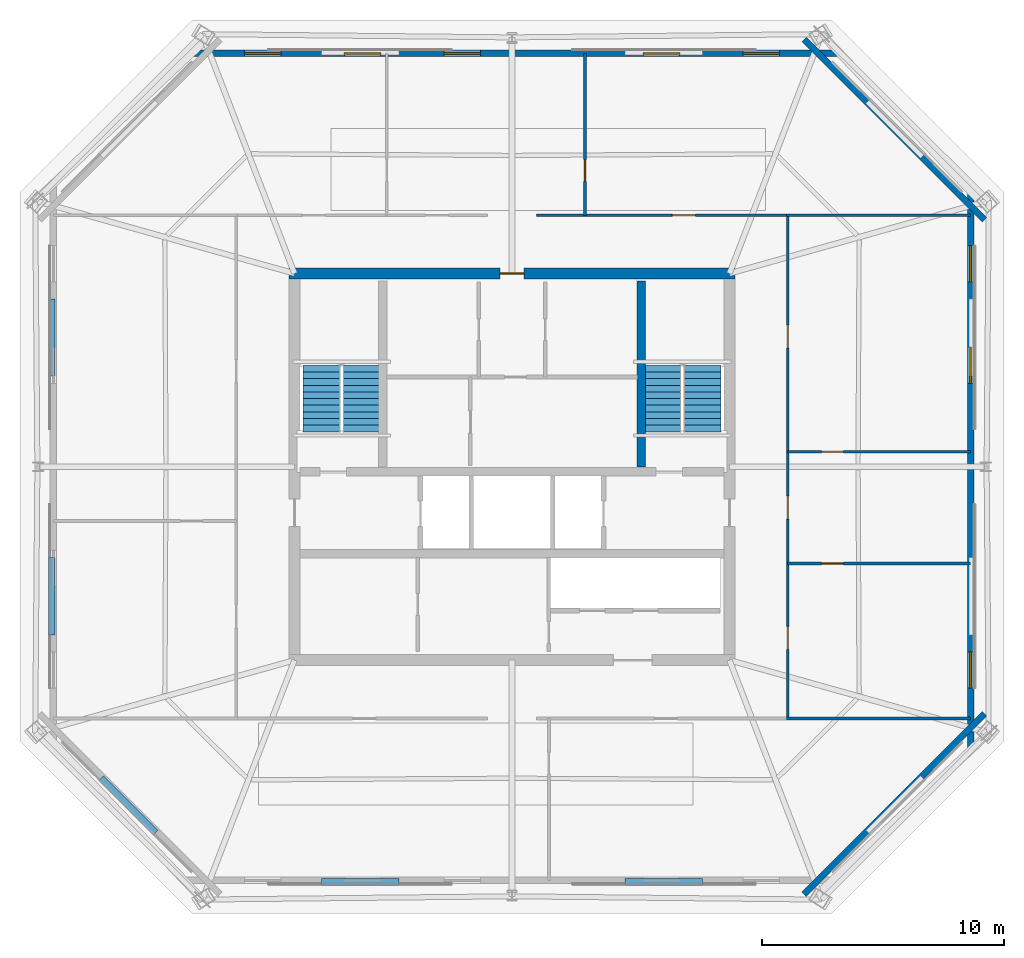
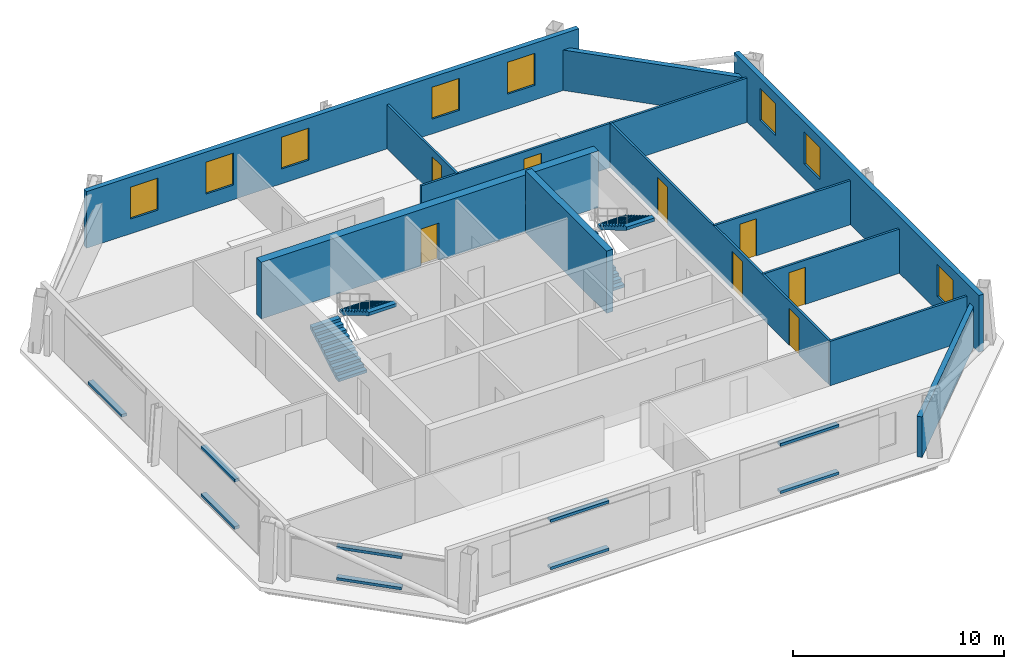
# One storey, part 4 of 7: 13 walls, 9 discrete accessories, 8 doors, 8 windows, 4 stair flights, 16 openings, 2 elements without a shape of their own.
"""IFC4 building model written with IfcOpenShell, lengths in metres."""

from ifc_helpers import new_model, si_unit, direction, frame, frame_2d, origin, origin_2d, place, context, subcontext, project, spatial, polyline, rectangle, outline, extrude, material, layer, layer_set, type_object, element, fill, aggregate, save


model = new_model("IFC4")

# Units and contexts
model_context = context("Model", 3, precision=1e-05, world=origin(), true_north=direction((0.0, 1.0)))
body_context = subcontext(model_context, "Body", "Model", "MODEL_VIEW")
ifc_project = project(units=[si_unit("LENGTHUNIT", "METRE"), si_unit("AREAUNIT", "SQUARE_METRE"), si_unit("VOLUMEUNIT", "CUBIC_METRE"), si_unit("PLANEANGLEUNIT", "RADIAN"), si_unit("MASSUNIT", "GRAM", prefix="KILO")], contexts=[model_context])

# Site, building, storey
site_placement = place(None, origin())
site = spatial("IfcSite", under=ifc_project, at=site_placement, CompositionType="ELEMENT")
building_placement = place(site_placement, origin())
building = spatial("IfcBuilding", under=site, at=building_placement, Name="Caelvoria Tower", CompositionType="ELEMENT")
storey_placement = place(building_placement, frame((0.0, 0.0, 231.0)))
storey = spatial("IfcBuildingStorey", under=building, at=storey_placement, Name="L61", CompositionType="ELEMENT", Elevation=231.0)

# Wall
ifc_material_1 = material(Name="Concrete C50/60", Category="concrete")
ifc_layer_1 = layer(ifc_material_1, 0.35009765625, Name="Concrete C50/60")
ifc_layer_set_1 = layer_set([ifc_layer_1], Name="Core Internal Shear Wall 350 - Concrete C50/60")
wall_type_1 = type_object("IfcWallType", Name="Core Internal Shear Wall 350", PredefinedType="SHEAR", material=ifc_layer_set_1)
wall_1_placement = place(storey_placement, frame((51.35009765625, 32.0, 0.0), z_axis=(0.0, 0.0, 1.0), x_axis=(0.0, 1.0, 0.0)))
element("IfcWall", 1, at=wall_1_placement, inside=storey, type_object=wall_type_1, Name="Interior Partition IW-L61-ST2W", PredefinedType="SHEAR", context=body_context, shape_type="SweptSolid", body=[
    extrude(rectangle(XDim=7.699951171875, YDim=0.35009765625, at=frame_2d((3.85009765625, 0.0))), origin(), (0.0, 0.0, 1.0), 3.60009765625),
])

# Wall, opening, door
ifc_material_2 = material(Name="Acoustic Gypsum Board on Light-Gauge Stud", Category="gypsum")
ifc_layer_2 = layer(ifc_material_2, 0.1201171875, Name="Acoustic Gypsum Board on Light-Gauge Stud")
ifc_layer_set_2 = layer_set([ifc_layer_2], Name="Tenant Suite Acoustic Partition Wall 120 - Acoustic Gypsum Board on Light-Gauge Stud")
wall_type_2 = type_object("IfcWallType", Name="Tenant Suite Acoustic Partition Wall 120", PredefinedType="PARTITIONING", material=ifc_layer_set_2)
wall_2_placement = place(storey_placement, frame((49.019775390625, 42.409912109375, 0.0), z_axis=(0.0, 0.0, 1.0), x_axis=(0.0, 1.0, 0.0)))
wall_2 = element("IfcWall", 2, at=wall_2_placement, inside=storey, type_object=wall_type_2, Name="Interior Partition IW-L61-ND-01-0", PredefinedType="PARTITIONING", context=body_context, shape_type="SweptSolid", body=[
    extrude(rectangle(XDim=6.700927734375, YDim=0.1201171875, at=frame_2d((3.3505859375, 0.0))), origin(), (0.0, 0.0, 1.0), 2.56005859375),
])
opening_1_placement = place(wall_2_placement, frame((1.39990234375, 0.0, 0.0)))
opening_1 = element("IfcOpeningElement", 3, at=opening_1_placement, cuts=wall_2, Name="Opening ID-06", PredefinedType="OPENING", context=body_context, shape_type="SweptSolid", body=[
    extrude(rectangle(XDim=0.89990234375, YDim=2.14990234375, at=frame_2d((0.449951171875, 1.074951171875))), frame((0.0, 0.070068359375, 0.0), z_axis=(0.0, -1.0, 0.0), x_axis=(1.0, 0.0, 0.0)), (0.0, 0.0, 1.0), 0.14013671875),
])
ifc_material_3 = material(Name="Engineered Andean Oak Veneer Door", Category="wood")
door_type_1 = type_object("IfcDoorType", Name="Interior Timber Door 900x2150", OperationType="NOTDEFINED", PredefinedType="DOOR", material=ifc_material_3)
door_1_placement = place(opening_1_placement, origin())
door_1 = element("IfcDoor", 4, at=door_1_placement, inside=storey, type_object=door_type_1, Name="Interior Door DR-L61-NM-01-0", OperationType="SINGLE_SWING_LEFT", OverallHeight=2.14990234375, OverallWidth=0.89990234375, PredefinedType="DOOR", context=body_context, shape_type="SweptSolid", body=[
    extrude(rectangle(XDim=0.89990234375, YDim=2.14990234375, at=frame_2d((0.449951171875, 1.074951171875))), frame((0.0, 0.02490234375, 0.0), z_axis=(0.0, -1.0, 0.0), x_axis=(1.0, 0.0, 0.0)), (0.0, 0.0, 1.0), 0.050048828125),
])
fill(opening_1, door_1)

wall_3_placement = place(storey_placement, frame((47.02001953125, 42.409912109375, 0.0), z_axis=(0.0, 0.0, 1.0), x_axis=(1.0, 0.0, 0.0)))
wall_3 = element("IfcWall", 5, at=wall_3_placement, inside=storey, type_object=wall_type_2, Name="Interior Partition IW-L61-NCW-1", PredefinedType="PARTITIONING", context=body_context, shape_type="SweptSolid", body=[
    extrude(rectangle(XDim=10.330078125, YDim=0.1201171875, at=frame_2d((5.1650390625, 0.0))), origin(), (0.0, 0.0, 1.0), 2.56005859375),
])
opening_2_placement = place(wall_3_placement, frame((5.619873046875, 0.0, 0.0)))
opening_2 = element("IfcOpeningElement", 6, at=opening_2_placement, cuts=wall_3, Name="Opening ID-05", PredefinedType="OPENING", context=body_context, shape_type="SweptSolid", body=[
    extrude(rectangle(XDim=0.949951171875, YDim=2.14990234375, at=frame_2d((0.47509765625, 1.074951171875))), frame((0.0, 0.070068359375, 0.0), z_axis=(0.0, -1.0, 0.0), x_axis=(1.0, 0.0, 0.0)), (0.0, 0.0, 1.0), 0.14013671875),
])
door_type_2 = type_object("IfcDoorType", Name="Interior Timber Door 950x2150", OperationType="NOTDEFINED", PredefinedType="DOOR", material=ifc_material_3)
door_2_placement = place(opening_2_placement, origin())
door_2 = element("IfcDoor", 7, at=door_2_placement, inside=storey, type_object=door_type_2, Name="Interior Door DR-L61-NC-02-0", OperationType="SINGLE_SWING_RIGHT", OverallHeight=2.14990234375, OverallWidth=0.949951171875, PredefinedType="DOOR", context=body_context, shape_type="SweptSolid", body=[
    extrude(rectangle(XDim=0.949951171875, YDim=2.14990234375, at=frame_2d((0.47509765625, 1.074951171875))), frame((0.0, 0.02490234375, 0.0), z_axis=(0.0, -1.0, 0.0), x_axis=(1.0, 0.0, 0.0)), (0.0, 0.0, 1.0), 0.050048828125),
])
fill(opening_2, door_2)

wall_4_placement = place(storey_placement, frame((57.409912109375, 27.998046875, 0.0), z_axis=(0.0, 0.0, 1.0), x_axis=(1.0, 0.0, 0.0)))
wall_4 = element("IfcWall", 8, at=wall_4_placement, inside=storey, type_object=wall_type_2, Name="Interior Partition IW-L61-ED-00-0", PredefinedType="PARTITIONING", context=body_context, shape_type="SweptSolid", body=[
    extrude(rectangle(XDim=7.569091796875, YDim=0.1201171875, at=frame_2d((3.78466796875, 0.0))), origin(), (0.0, 0.0, 1.0), 2.56005859375),
])
opening_3_placement = place(wall_4_placement, frame((1.39990234375, 0.0, 0.0)))
opening_3 = element("IfcOpeningElement", 9, at=opening_3_placement, cuts=wall_4, Name="Opening ID-06", PredefinedType="OPENING", context=body_context, shape_type="SweptSolid", body=[
    extrude(rectangle(XDim=0.89990234375, YDim=2.14990234375, at=frame_2d((0.449951171875, 1.074951171875))), frame((0.0, 0.070068359375, 0.0), z_axis=(0.0, -1.0, 0.0), x_axis=(1.0, 0.0, 0.0)), (0.0, 0.0, 1.0), 0.14013671875),
])
door_3_placement = place(opening_3_placement, origin())
door_3 = element("IfcDoor", 10, at=door_3_placement, inside=storey, type_object=door_type_1, Name="Interior Door DR-L61-EM-00-0", OperationType="SINGLE_SWING_RIGHT", OverallHeight=2.14990234375, OverallWidth=0.89990234375, PredefinedType="DOOR", context=body_context, shape_type="SweptSolid", body=[
    extrude(rectangle(XDim=0.89990234375, YDim=2.14990234375, at=frame_2d((0.449951171875, 1.074951171875))), frame((0.0, 0.02490234375, 0.0), z_axis=(0.0, -1.0, 0.0), x_axis=(1.0, 0.0, 0.0)), (0.0, 0.0, 1.0), 0.050048828125),
])
fill(opening_3, door_3)

wall_5_placement = place(storey_placement, frame((57.409912109375, 32.625732421875, 0.0), z_axis=(0.0, 0.0, 1.0), x_axis=(1.0, 0.0, 0.0)))
wall_5 = element("IfcWall", 11, at=wall_5_placement, inside=storey, type_object=wall_type_2, Name="Interior Partition IW-L61-ED-01-0", PredefinedType="PARTITIONING", context=body_context, shape_type="SweptSolid", body=[
    extrude(rectangle(XDim=7.569091796875, YDim=0.1201171875, at=frame_2d((3.78466796875, 0.0))), origin(), (0.0, 0.0, 1.0), 2.56005859375),
])
opening_4_placement = place(wall_5_placement, frame((1.39990234375, 0.0, 0.0)))
opening_4 = element("IfcOpeningElement", 12, at=opening_4_placement, cuts=wall_5, Name="Opening ID-06", PredefinedType="OPENING", context=body_context, shape_type="SweptSolid", body=[
    extrude(rectangle(XDim=0.89990234375, YDim=2.14990234375, at=frame_2d((0.449951171875, 1.074951171875))), frame((0.0, 0.070068359375, 0.0), z_axis=(0.0, -1.0, 0.0), x_axis=(1.0, 0.0, 0.0)), (0.0, 0.0, 1.0), 0.14013671875),
])
door_4_placement = place(opening_4_placement, origin())
door_4 = element("IfcDoor", 13, at=door_4_placement, inside=storey, type_object=door_type_1, Name="Interior Door DR-L61-EM-01-0", OperationType="SINGLE_SWING_LEFT", OverallHeight=2.14990234375, OverallWidth=0.89990234375, PredefinedType="DOOR", context=body_context, shape_type="SweptSolid", body=[
    extrude(rectangle(XDim=0.89990234375, YDim=2.14990234375, at=frame_2d((0.449951171875, 1.074951171875))), frame((0.0, 0.02490234375, 0.0), z_axis=(0.0, -1.0, 0.0), x_axis=(1.0, 0.0, 0.0)), (0.0, 0.0, 1.0), 0.050048828125),
])
fill(opening_4, door_4)

# Wall, openings, doors
wall_6_placement = place(storey_placement, frame((57.409912109375, 21.64990234375, 0.0), z_axis=(0.0, 0.0, 1.0), x_axis=(0.0, 1.0, 0.0)))
wall_6 = element("IfcWall", 14, at=wall_6_placement, inside=storey, type_object=wall_type_2, Name="Interior Partition IW-L61-ECW-0", PredefinedType="PARTITIONING", context=body_context, shape_type="SweptSolid", body=[
    extrude(rectangle(XDim=20.7001953125, YDim=0.1201171875, at=frame_2d((10.35009765625, 0.0))), origin(), (0.0, 0.0, 1.0), 2.56005859375),
])
opening_5_placement = place(wall_6_placement, frame((2.799072265625, 0.0, 0.0)))
opening_5 = element("IfcOpeningElement", 15, at=opening_5_placement, cuts=wall_6, Name="Opening ID-05", PredefinedType="OPENING", context=body_context, shape_type="SweptSolid", body=[
    extrude(rectangle(XDim=0.949951171875, YDim=2.14990234375, at=frame_2d((0.47509765625, 1.074951171875))), frame((0.0, 0.070068359375, 0.0), z_axis=(0.0, -1.0, 0.0), x_axis=(1.0, 0.0, 0.0)), (0.0, 0.0, 1.0), 0.14013671875),
])
opening_6_placement = place(wall_6_placement, frame((8.18701171875, 0.0, 0.0)))
opening_6 = element("IfcOpeningElement", 16, at=opening_6_placement, cuts=wall_6, Name="Opening ID-05", PredefinedType="OPENING", context=body_context, shape_type="SweptSolid", body=[
    extrude(rectangle(XDim=0.949951171875, YDim=2.14990234375, at=frame_2d((0.47509765625, 1.074951171875))), frame((0.0, 0.070068359375, 0.0), z_axis=(0.0, -1.0, 0.0), x_axis=(1.0, 0.0, 0.0)), (0.0, 0.0, 1.0), 0.14013671875),
])
opening_7_placement = place(wall_6_placement, frame((15.262939453125, 0.0, 0.0)))
opening_7 = element("IfcOpeningElement", 17, at=opening_7_placement, cuts=wall_6, Name="Opening ID-05", PredefinedType="OPENING", context=body_context, shape_type="SweptSolid", body=[
    extrude(rectangle(XDim=0.949951171875, YDim=2.14990234375, at=frame_2d((0.47509765625, 1.074951171875))), frame((0.0, 0.070068359375, 0.0), z_axis=(0.0, -1.0, 0.0), x_axis=(1.0, 0.0, 0.0)), (0.0, 0.0, 1.0), 0.14013671875),
])
door_5_placement = place(opening_5_placement, origin())
door_5 = element("IfcDoor", 18, at=door_5_placement, inside=storey, type_object=door_type_2, Name="Interior Door DR-L61-EC-00-0", OperationType="SINGLE_SWING_RIGHT", OverallHeight=2.14990234375, OverallWidth=0.949951171875, PredefinedType="DOOR", context=body_context, shape_type="SweptSolid", body=[
    extrude(rectangle(XDim=0.949951171875, YDim=2.14990234375, at=frame_2d((0.47509765625, 1.074951171875))), frame((0.0, 0.02490234375, 0.0), z_axis=(0.0, -1.0, 0.0), x_axis=(1.0, 0.0, 0.0)), (0.0, 0.0, 1.0), 0.050048828125),
])
fill(opening_5, door_5)
door_6_placement = place(opening_6_placement, origin())
door_6 = element("IfcDoor", 19, at=door_6_placement, inside=storey, type_object=door_type_2, Name="Interior Door DR-L61-EC-01-0", OperationType="SINGLE_SWING_LEFT", OverallHeight=2.14990234375, OverallWidth=0.949951171875, PredefinedType="DOOR", context=body_context, shape_type="SweptSolid", body=[
    extrude(rectangle(XDim=0.949951171875, YDim=2.14990234375, at=frame_2d((0.47509765625, 1.074951171875))), frame((0.0, 0.02490234375, 0.0), z_axis=(0.0, -1.0, 0.0), x_axis=(1.0, 0.0, 0.0)), (0.0, 0.0, 1.0), 0.050048828125),
])
fill(opening_6, door_6)
door_7_placement = place(opening_7_placement, origin())
door_7 = element("IfcDoor", 20, at=door_7_placement, inside=storey, type_object=door_type_2, Name="Interior Door DR-L61-EC-02-0", OperationType="SINGLE_SWING_RIGHT", OverallHeight=2.14990234375, OverallWidth=0.949951171875, PredefinedType="DOOR", context=body_context, shape_type="SweptSolid", body=[
    extrude(rectangle(XDim=0.949951171875, YDim=2.14990234375, at=frame_2d((0.47509765625, 1.074951171875))), frame((0.0, 0.02490234375, 0.0), z_axis=(0.0, -1.0, 0.0), x_axis=(1.0, 0.0, 0.0)), (0.0, 0.0, 1.0), 0.050048828125),
])
fill(opening_7, door_7)

# Walls
for number, where, z_axis, x_axis, name in (
    (21, (57.35009765625, 21.590087890625, 0.0), (0.0, 0.0, 1.0), (1.0, 0.0, 0.0), "Interior Partition IW-L61-BSE-0"),
    (22, (57.35009765625, 42.409912109375, 0.0), (0.0, 0.0, 1.0), (1.0, 0.0, 0.0), "Interior Partition IW-L61-BNE-0"),
):
    element("IfcWall", number, at=place(storey_placement, frame(where, z_axis=z_axis, x_axis=x_axis)), inside=storey, type_object=wall_type_2, Name=name, PredefinedType="PARTITIONING", context=body_context, shape_type="SweptSolid", body=[
        extrude(rectangle(XDim=7.62890625, YDim=0.1201171875, at=frame_2d((3.814453125, 0.0))), origin(), (0.0, 0.0, 1.0), 2.56005859375),
    ])

# Wall, opening, door
ifc_layer_3 = layer(ifc_material_1, 0.449951171875, Name="Concrete C50/60")
ifc_layer_set_3 = layer_set([ifc_layer_3], Name="Upper Core Shear Wall 450 - Concrete C50/60")
wall_type_3 = type_object("IfcWallType", Name="Upper Core Shear Wall 450", PredefinedType="SHEAR", material=ifc_layer_set_3)
wall_7_placement = place(storey_placement, frame((36.77490234375, 40.0, 0.0), z_axis=(0.0, 0.0, 1.0), x_axis=(1.0, 0.0, 0.0)))
wall_7 = element("IfcWall", 23, at=wall_7_placement, inside=storey, type_object=wall_type_3, Name="Core Shear Wall L61 N", PredefinedType="SHEAR", context=body_context, shape_type="SweptSolid", body=[
    extrude(rectangle(XDim=18.4501953125, YDim=0.449951171875, at=frame_2d((9.22509765625, 0.0))), origin(), (0.0, 0.0, 1.0), 3.280029296875),
])
opening_8_placement = place(wall_7_placement, frame((8.72509765625, 0.0, 0.0)))
opening_8 = element("IfcOpeningElement", 24, at=opening_8_placement, cuts=wall_7, Name="Opening ID-03", PredefinedType="OPENING", context=body_context, shape_type="SweptSolid", body=[
    extrude(rectangle(XDim=1.0, YDim=2.14990234375, at=frame_2d((0.5, 1.074951171875))), frame((0.0, 0.23486328125, 0.0), z_axis=(0.0, -1.0, 0.0), x_axis=(1.0, 0.0, 0.0)), (0.0, 0.0, 1.0), 0.469970703125),
])
ifc_material_4 = material(Name="Painted Hollow Steel Fire Door", Category="steel")
door_type_3 = type_object("IfcDoorType", Name="Fire Door FD60S 1000x2150", OperationType="NOTDEFINED", PredefinedType="DOOR", material=ifc_material_4)
door_8_placement = place(opening_8_placement, origin())
door_8 = element("IfcDoor", 25, at=door_8_placement, inside=storey, type_object=door_type_3, Name="Core Door DR-L61-WC-MAIN", OperationType="SINGLE_SWING_RIGHT", OverallHeight=2.14990234375, OverallWidth=1.0, PredefinedType="DOOR", context=body_context, shape_type="SweptSolid", body=[
    extrude(rectangle(XDim=1.0, YDim=2.14990234375, at=frame_2d((0.5, 1.074951171875))), frame((0.0, 0.02490234375, 0.0), z_axis=(0.0, -1.0, 0.0), x_axis=(1.0, 0.0, 0.0)), (0.0, 0.0, 1.0), 0.050048828125),
])
fill(opening_8, door_8)

# Wall
ifc_material_5 = material(Name="Precast Concrete C40/50 with Bronze Cladding", Category="concrete")
ifc_layer_4 = layer(ifc_material_5, 0.264892578125, Name="Precast Concrete C40/50 with Bronze Cladding")
ifc_layer_set_4 = layer_set([ifc_layer_4], Name="Upper Taper Precast Concrete C40/50 Bronze Facade Wall 265 - Precast Concrete C40/50 with Bronze Cladding")
wall_type_4 = type_object("IfcWallType", Name="Upper Taper Precast Concrete C40/50 Bronze Facade Wall 265", PredefinedType="STANDARD", material=ifc_layer_set_4)
wall_8_placement = place(storey_placement, frame((58.086181640625, 14.315185546875, 0.0), z_axis=(0.0, 0.0, 1.0), x_axis=(0.707106781187, 0.707106781187, 0.0)))
element("IfcWall", 26, at=wall_8_placement, inside=storey, type_object=wall_type_4, Name="Exterior Facade Wall L61-E1", PredefinedType="STANDARD", context=body_context, shape_type="SweptSolid", body=[
    extrude(rectangle(XDim=10.5595703125, YDim=0.264892578125, at=frame_2d((5.27978515625, 0.0))), origin(), (0.0, 0.0, 1.0), 2.343017578125),
])

# Wall, openings, windows
wall_9_placement = place(storey_placement, frame((64.97900390625, 20.396484375, 0.0), z_axis=(0.0, 0.0, 1.0), x_axis=(0.0, 1.0, 0.0)))
wall_9 = element("IfcWall", 27, at=wall_9_placement, inside=storey, type_object=wall_type_4, Name="Exterior Facade Wall L61-E2", PredefinedType="STANDARD", context=body_context, shape_type="SweptSolid", body=[
    extrude(rectangle(XDim=23.20703125, YDim=0.264892578125, at=frame_2d((11.603515625, 0.0))), origin(), (0.0, 0.0, 1.0), 3.280029296875),
])
opening_9_placement = place(wall_9_placement, frame((2.45068359375, 0.0, 0.85009765625)))
opening_9 = element("IfcOpeningElement", 28, at=opening_9_placement, cuts=wall_9, Name="Opening WN-03", PredefinedType="OPENING", context=body_context, shape_type="SweptSolid", body=[
    extrude(rectangle(XDim=1.5, YDim=1.85009765625, at=frame_2d((0.75, 0.925048828125))), frame((0.0, 0.142333984375, 0.0), z_axis=(0.0, -1.0, 0.0), x_axis=(1.0, 0.0, 0.0)), (0.0, 0.0, 1.0), 0.284912109375),
])
opening_10_placement = place(wall_9_placement, frame((15.054931640625, 0.0, 0.85009765625)))
opening_10 = element("IfcOpeningElement", 29, at=opening_10_placement, cuts=wall_9, Name="Opening WN-03", PredefinedType="OPENING", context=body_context, shape_type="SweptSolid", body=[
    extrude(rectangle(XDim=1.5, YDim=1.85009765625, at=frame_2d((0.75, 0.925048828125))), frame((0.0, 0.142333984375, 0.0), z_axis=(0.0, -1.0, 0.0), x_axis=(1.0, 0.0, 0.0)), (0.0, 0.0, 1.0), 0.284912109375),
])
opening_11_placement = place(wall_9_placement, frame((19.256591796875, 0.0, 0.85009765625)))
opening_11 = element("IfcOpeningElement", 30, at=opening_11_placement, cuts=wall_9, Name="Opening WN-03", PredefinedType="OPENING", context=body_context, shape_type="SweptSolid", body=[
    extrude(rectangle(XDim=1.5, YDim=1.85009765625, at=frame_2d((0.75, 0.925048828125))), frame((0.0, 0.142333984375, 0.0), z_axis=(0.0, -1.0, 0.0), x_axis=(1.0, 0.0, 0.0)), (0.0, 0.0, 1.0), 0.284912109375),
])
ifc_material_6 = material(Name="Low-E Tinted Glass in Bronze Aluminium Frame", Category="aluminium")
window_type = type_object("IfcWindowType", Name="Upper Taper Vision Window 1500x1850", PartitioningType="SINGLE_PANEL", PredefinedType="WINDOW", material=ifc_material_6)
window_1_placement = place(opening_9_placement, origin())
window_1 = element("IfcWindow", 31, at=window_1_placement, inside=storey, type_object=window_type, Name="Facade Window L61-E2-00", OverallHeight=1.85009765625, OverallWidth=1.5, PartitioningType="SINGLE_PANEL", PredefinedType="WINDOW", context=body_context, shape_type="SweptSolid", body=[
    extrude(rectangle(XDim=1.5, YDim=1.85009765625, at=frame_2d((0.75, 0.925048828125))), frame((0.0, 0.030029296875, 0.0), z_axis=(0.0, -1.0, 0.0), x_axis=(1.0, 0.0, 0.0)), (0.0, 0.0, 1.0), 0.06005859375),
])
fill(opening_9, window_1)
window_2_placement = place(opening_10_placement, origin())
window_2 = element("IfcWindow", 32, at=window_2_placement, inside=storey, type_object=window_type, Name="Facade Window L61-E2-03", OverallHeight=1.85009765625, OverallWidth=1.5, PartitioningType="SINGLE_PANEL", PredefinedType="WINDOW", context=body_context, shape_type="SweptSolid", body=[
    extrude(rectangle(XDim=1.5, YDim=1.85009765625, at=frame_2d((0.75, 0.925048828125))), frame((0.0, 0.030029296875, 0.0), z_axis=(0.0, -1.0, 0.0), x_axis=(1.0, 0.0, 0.0)), (0.0, 0.0, 1.0), 0.06005859375),
])
fill(opening_10, window_2)
window_3_placement = place(opening_11_placement, origin())
window_3 = element("IfcWindow", 33, at=window_3_placement, inside=storey, type_object=window_type, Name="Facade Window L61-E2-04", OverallHeight=1.85009765625, OverallWidth=1.5, PartitioningType="SINGLE_PANEL", PredefinedType="WINDOW", context=body_context, shape_type="SweptSolid", body=[
    extrude(rectangle(XDim=1.5, YDim=1.85009765625, at=frame_2d((0.75, 0.925048828125))), frame((0.0, 0.030029296875, 0.0), z_axis=(0.0, -1.0, 0.0), x_axis=(1.0, 0.0, 0.0)), (0.0, 0.0, 1.0), 0.06005859375),
])
fill(opening_11, window_3)

# Wall
wall_10_placement = place(storey_placement, frame((65.552978515625, 42.218017578125, 0.0), z_axis=(0.0, 0.0, 1.0), x_axis=(-0.707106781187, 0.707106781187, 0.0)))
element("IfcWall", 34, at=wall_10_placement, inside=storey, type_object=wall_type_4, Name="Exterior Facade Wall L61-E3", PredefinedType="STANDARD", context=body_context, shape_type="SweptSolid", body=[
    extrude(rectangle(XDim=10.5595703125, YDim=0.264892578125, at=frame_2d((5.27978515625, 0.0))), origin(), (0.0, 0.0, 1.0), 2.343017578125),
])

# Wall, openings, windows
wall_11_placement = place(storey_placement, frame((59.4716796875, 49.11083984375, 0.0), z_axis=(0.0, 0.0, 1.0), x_axis=(-1.0, 0.0, 0.0)))
wall_11 = element("IfcWall", 35, at=wall_11_placement, inside=storey, type_object=wall_type_4, Name="Exterior Facade Wall L61-E4", PredefinedType="STANDARD", context=body_context, shape_type="SweptSolid", body=[
    extrude(rectangle(XDim=26.943359375, YDim=0.264892578125, at=frame_2d((13.4716796875, 0.0))), origin(), (0.0, 0.0, 1.0), 3.280029296875),
])
opening_12_placement = place(wall_11_placement, frame((2.412109375, 0.0, 0.85009765625)))
opening_12 = element("IfcOpeningElement", 36, at=opening_12_placement, cuts=wall_11, Name="Opening WN-03", PredefinedType="OPENING", context=body_context, shape_type="SweptSolid", body=[
    extrude(rectangle(XDim=1.5, YDim=1.85009765625, at=frame_2d((0.75, 0.925048828125))), frame((0.0, 0.142333984375, 0.0), z_axis=(0.0, -1.0, 0.0), x_axis=(1.0, 0.0, 0.0)), (0.0, 0.0, 1.0), 0.284912109375),
])
opening_13_placement = place(wall_11_placement, frame((6.535888671875, 0.0, 0.85009765625)))
opening_13 = element("IfcOpeningElement", 37, at=opening_13_placement, cuts=wall_11, Name="Opening WN-03", PredefinedType="OPENING", context=body_context, shape_type="SweptSolid", body=[
    extrude(rectangle(XDim=1.5, YDim=1.85009765625, at=frame_2d((0.75, 0.925048828125))), frame((0.0, 0.142333984375, 0.0), z_axis=(0.0, -1.0, 0.0), x_axis=(1.0, 0.0, 0.0)), (0.0, 0.0, 1.0), 0.284912109375),
])
opening_14_placement = place(wall_11_placement, frame((14.78369140625, 0.0, 0.85009765625)))
opening_14 = element("IfcOpeningElement", 38, at=opening_14_placement, cuts=wall_11, Name="Opening WN-03", PredefinedType="OPENING", context=body_context, shape_type="SweptSolid", body=[
    extrude(rectangle(XDim=1.5, YDim=1.85009765625, at=frame_2d((0.75, 0.925048828125))), frame((0.0, 0.142333984375, 0.0), z_axis=(0.0, -1.0, 0.0), x_axis=(1.0, 0.0, 0.0)), (0.0, 0.0, 1.0), 0.284912109375),
])
opening_15_placement = place(wall_11_placement, frame((18.90771484375, 0.0, 0.85009765625)))
opening_15 = element("IfcOpeningElement", 39, at=opening_15_placement, cuts=wall_11, Name="Opening WN-03", PredefinedType="OPENING", context=body_context, shape_type="SweptSolid", body=[
    extrude(rectangle(XDim=1.5, YDim=1.85009765625, at=frame_2d((0.75, 0.925048828125))), frame((0.0, 0.142333984375, 0.0), z_axis=(0.0, -1.0, 0.0), x_axis=(1.0, 0.0, 0.0)), (0.0, 0.0, 1.0), 0.284912109375),
])
opening_16_placement = place(wall_11_placement, frame((23.031494140625, 0.0, 0.85009765625)))
opening_16 = element("IfcOpeningElement", 40, at=opening_16_placement, cuts=wall_11, Name="Opening WN-03", PredefinedType="OPENING", context=body_context, shape_type="SweptSolid", body=[
    extrude(rectangle(XDim=1.5, YDim=1.85009765625, at=frame_2d((0.75, 0.925048828125))), frame((0.0, 0.142333984375, 0.0), z_axis=(0.0, -1.0, 0.0), x_axis=(1.0, 0.0, 0.0)), (0.0, 0.0, 1.0), 0.284912109375),
])
window_4_placement = place(opening_12_placement, origin())
window_4 = element("IfcWindow", 41, at=window_4_placement, inside=storey, type_object=window_type, Name="Facade Window L61-E4-00", OverallHeight=1.85009765625, OverallWidth=1.5, PartitioningType="SINGLE_PANEL", PredefinedType="WINDOW", context=body_context, shape_type="SweptSolid", body=[
    extrude(rectangle(XDim=1.5, YDim=1.85009765625, at=frame_2d((0.75, 0.925048828125))), frame((0.0, 0.030029296875, 0.0), z_axis=(0.0, -1.0, 0.0), x_axis=(1.0, 0.0, 0.0)), (0.0, 0.0, 1.0), 0.06005859375),
])
fill(opening_12, window_4)
window_5_placement = place(opening_13_placement, origin())
window_5 = element("IfcWindow", 42, at=window_5_placement, inside=storey, type_object=window_type, Name="Facade Window L61-E4-01", OverallHeight=1.85009765625, OverallWidth=1.5, PartitioningType="SINGLE_PANEL", PredefinedType="WINDOW", context=body_context, shape_type="SweptSolid", body=[
    extrude(rectangle(XDim=1.5, YDim=1.85009765625, at=frame_2d((0.75, 0.925048828125))), frame((0.0, 0.030029296875, 0.0), z_axis=(0.0, -1.0, 0.0), x_axis=(1.0, 0.0, 0.0)), (0.0, 0.0, 1.0), 0.06005859375),
])
fill(opening_13, window_5)
window_6_placement = place(opening_14_placement, origin())
window_6 = element("IfcWindow", 43, at=window_6_placement, inside=storey, type_object=window_type, Name="Facade Window L61-E4-03", OverallHeight=1.85009765625, OverallWidth=1.5, PartitioningType="SINGLE_PANEL", PredefinedType="WINDOW", context=body_context, shape_type="SweptSolid", body=[
    extrude(rectangle(XDim=1.5, YDim=1.85009765625, at=frame_2d((0.75, 0.925048828125))), frame((0.0, 0.030029296875, 0.0), z_axis=(0.0, -1.0, 0.0), x_axis=(1.0, 0.0, 0.0)), (0.0, 0.0, 1.0), 0.06005859375),
])
fill(opening_14, window_6)
window_7_placement = place(opening_15_placement, origin())
window_7 = element("IfcWindow", 44, at=window_7_placement, inside=storey, type_object=window_type, Name="Facade Window L61-E4-04", OverallHeight=1.85009765625, OverallWidth=1.5, PartitioningType="SINGLE_PANEL", PredefinedType="WINDOW", context=body_context, shape_type="SweptSolid", body=[
    extrude(rectangle(XDim=1.5, YDim=1.85009765625, at=frame_2d((0.75, 0.925048828125))), frame((0.0, 0.030029296875, 0.0), z_axis=(0.0, -1.0, 0.0), x_axis=(1.0, 0.0, 0.0)), (0.0, 0.0, 1.0), 0.06005859375),
])
fill(opening_15, window_7)
window_8_placement = place(opening_16_placement, origin())
window_8 = element("IfcWindow", 45, at=window_8_placement, inside=storey, type_object=window_type, Name="Facade Window L61-E4-05", OverallHeight=1.85009765625, OverallWidth=1.5, PartitioningType="SINGLE_PANEL", PredefinedType="WINDOW", context=body_context, shape_type="SweptSolid", body=[
    extrude(rectangle(XDim=1.5, YDim=1.85009765625, at=frame_2d((0.75, 0.925048828125))), frame((0.0, 0.030029296875, 0.0), z_axis=(0.0, -1.0, 0.0), x_axis=(1.0, 0.0, 0.0)), (0.0, 0.0, 1.0), 0.06005859375),
])
fill(opening_16, window_8)

# Stair, stair flights
ifc_material_7 = material(Name="Concrete C40/50", Category="concrete")
stair_type = type_object("IfcStairType", Name="Core Smokeproof Dogleg Stair Concrete C40/50", PredefinedType="HALF_TURN_STAIR", material=ifc_material_7)
stair_1_placement = place(storey_placement, origin())
stair_1 = element("IfcStair", 46, at=stair_1_placement, inside=storey, type_object=stair_type, Name="ST-01 Smokeproof Exit Stair L61", PredefinedType="HALF_TURN_STAIR")
ifc_material_8 = material(Name="Precast Concrete C40/50", Category="concrete")
stair_flight_type = type_object("IfcStairFlightType", Name="Precast Concrete C40/50 Stair Flight 1480", PredefinedType="STRAIGHT", material=ifc_material_8)
stair_flight_1_placement = place(storey_placement, frame((38.1298828125, 33.449951171875, 0.0), z_axis=(0.0, 0.0, 1.0), x_axis=(0.0, 1.0, 0.0)))
stair_flight_1 = element("IfcStairFlight", 47, at=stair_flight_1_placement, type_object=stair_flight_type, Name="ST-01 flight 1", NumberOfRisers=11, NumberOfTreads=10, PredefinedType="STRAIGHT", RiserHeight=0.1636, TreadLength=0.275, context=body_context, shape_type="SweptSolid", body=[
    extrude(outline(polyline([(0.0, 0.0), (0.0, 0.16357421875), (0.27490234375, 0.16357421875), (0.27490234375, 0.3271484375), (0.550048828125, 0.3271484375), (0.550048828125, 0.49072265625), (0.824951171875, 0.49072265625), (0.824951171875, 0.654296875), (1.10009765625, 0.654296875), (1.10009765625, 0.818115234375), (1.375, 0.818115234375), (1.375, 0.981689453125), (1.64990234375, 0.981689453125), (1.64990234375, 1.145263671875), (1.925048828125, 1.145263671875), (1.925048828125, 1.308837890625), (2.199951171875, 1.308837890625), (2.199951171875, 1.472412109375), (2.47509765625, 1.472412109375), (2.47509765625, 1.635986328125), (2.75, 1.635986328125), (2.75, 1.799560546875), (2.75, 1.449951171875), (0.312744140625, 0.0), (0.0, 0.0)])), frame((0.0, 0.77001953125, 0.0), z_axis=(0.0, -1.0, 0.0), x_axis=(1.0, 0.0, 0.0)), (0.0, 0.0, 1.0), 1.5400390625),
])
stair_flight_2_placement = place(storey_placement, frame((39.77001953125, 36.199951171875, 1.800048828125), z_axis=(0.0, 0.0, 1.0), x_axis=(0.0, -1.0, 0.0)))
stair_flight_2 = element("IfcStairFlight", 48, at=stair_flight_2_placement, type_object=stair_flight_type, Name="ST-01 flight 2", NumberOfRisers=11, NumberOfTreads=10, PredefinedType="STRAIGHT", RiserHeight=0.1636, TreadLength=0.275, context=body_context, shape_type="SweptSolid", body=[
    extrude(outline(polyline([(0.0, 0.0), (0.0, 0.16357421875), (0.27490234375, 0.16357421875), (0.27490234375, 0.3271484375), (0.550048828125, 0.3271484375), (0.550048828125, 0.49072265625), (0.824951171875, 0.49072265625), (0.824951171875, 0.654296875), (1.10009765625, 0.654296875), (1.10009765625, 0.818115234375), (1.375, 0.818115234375), (1.375, 0.981689453125), (1.64990234375, 0.981689453125), (1.64990234375, 1.145263671875), (1.925048828125, 1.145263671875), (1.925048828125, 1.308837890625), (2.199951171875, 1.308837890625), (2.199951171875, 1.472412109375), (2.47509765625, 1.472412109375), (2.47509765625, 1.635986328125), (2.75, 1.635986328125), (2.75, 1.799560546875), (2.75, 1.449951171875), (0.312744140625, 0.0), (0.0, 0.0)])), frame((0.0, 0.77001953125, 0.0), z_axis=(0.0, -1.0, 0.0), x_axis=(1.0, 0.0, 0.0)), (0.0, 0.0, 1.0), 1.5400390625),
])
aggregate(stair_1, [stair_flight_1, stair_flight_2])

stair_2_placement = place(storey_placement, origin())
stair_2 = element("IfcStair", 49, at=stair_2_placement, inside=storey, type_object=stair_type, Name="ST-02 Smokeproof Exit Stair L61", PredefinedType="HALF_TURN_STAIR")
stair_flight_3_placement = place(storey_placement, frame((52.22998046875, 33.449951171875, 0.0), z_axis=(0.0, 0.0, 1.0), x_axis=(0.0, 1.0, 0.0)))
stair_flight_3 = element("IfcStairFlight", 50, at=stair_flight_3_placement, type_object=stair_flight_type, Name="ST-02 flight 1", NumberOfRisers=11, NumberOfTreads=10, PredefinedType="STRAIGHT", RiserHeight=0.1636, TreadLength=0.275, context=body_context, shape_type="SweptSolid", body=[
    extrude(outline(polyline([(0.0, 0.0), (0.0, 0.16357421875), (0.27490234375, 0.16357421875), (0.27490234375, 0.3271484375), (0.550048828125, 0.3271484375), (0.550048828125, 0.49072265625), (0.824951171875, 0.49072265625), (0.824951171875, 0.654296875), (1.10009765625, 0.654296875), (1.10009765625, 0.818115234375), (1.375, 0.818115234375), (1.375, 0.981689453125), (1.64990234375, 0.981689453125), (1.64990234375, 1.145263671875), (1.925048828125, 1.145263671875), (1.925048828125, 1.308837890625), (2.199951171875, 1.308837890625), (2.199951171875, 1.472412109375), (2.47509765625, 1.472412109375), (2.47509765625, 1.635986328125), (2.75, 1.635986328125), (2.75, 1.799560546875), (2.75, 1.449951171875), (0.312744140625, 0.0), (0.0, 0.0)])), frame((0.0, 0.77001953125, 0.0), z_axis=(0.0, -1.0, 0.0), x_axis=(1.0, 0.0, 0.0)), (0.0, 0.0, 1.0), 1.5400390625),
])
stair_flight_4_placement = place(storey_placement, frame((53.8701171875, 36.199951171875, 1.800048828125), z_axis=(0.0, 0.0, 1.0), x_axis=(0.0, -1.0, 0.0)))
stair_flight_4 = element("IfcStairFlight", 51, at=stair_flight_4_placement, type_object=stair_flight_type, Name="ST-02 flight 2", NumberOfRisers=11, NumberOfTreads=10, PredefinedType="STRAIGHT", RiserHeight=0.1636, TreadLength=0.275, context=body_context, shape_type="SweptSolid", body=[
    extrude(outline(polyline([(0.0, 0.0), (0.0, 0.16357421875), (0.27490234375, 0.16357421875), (0.27490234375, 0.3271484375), (0.550048828125, 0.3271484375), (0.550048828125, 0.49072265625), (0.824951171875, 0.49072265625), (0.824951171875, 0.654296875), (1.10009765625, 0.654296875), (1.10009765625, 0.818115234375), (1.375, 0.818115234375), (1.375, 0.981689453125), (1.64990234375, 0.981689453125), (1.64990234375, 1.145263671875), (1.925048828125, 1.145263671875), (1.925048828125, 1.308837890625), (2.199951171875, 1.308837890625), (2.199951171875, 1.472412109375), (2.47509765625, 1.472412109375), (2.47509765625, 1.635986328125), (2.75, 1.635986328125), (2.75, 1.799560546875), (2.75, 1.449951171875), (0.312744140625, 0.0), (0.0, 0.0)])), frame((0.0, 0.77001953125, 0.0), z_axis=(0.0, -1.0, 0.0), x_axis=(1.0, 0.0, 0.0)), (0.0, 0.0, 1.0), 1.5400390625),
])
aggregate(stair_2, [stair_flight_3, stair_flight_4])

# Discrete accessories
ifc_material_9 = material(Name="Anodised Bronze Stainless Bracket", Category="bronze")
discrete_accessory_type = type_object("IfcDiscreteAccessoryType", Name="Solar Screen Outrigger Support Bracket", PredefinedType="BRACKET", material=ifc_material_9)
for number, where, z_axis, x_axis, name in (
    (52, (39.714111328125, 14.816162109375, 0.240234375), (0.0, 0.0, 1.0), (1.0, 0.0, 0.0), "Solar Screen Bracket L61-E0-00"),
    (53, (39.714111328125, 14.816162109375, 2.97998046875), (0.0, 0.0, 1.0), (1.0, 0.0, 0.0), "Upper Screen Band Bracket L61-E0-00"),
    (54, (52.285888671875, 14.816162109375, 0.240234375), (0.0, 0.0, 1.0), (1.0, 0.0, 0.0), "Solar Screen Bracket L61-E0-01"),
    (55, (52.285888671875, 14.816162109375, 2.97998046875), (0.0, 0.0, 1.0), (1.0, 0.0, 0.0), "Upper Screen Band Bracket L61-E0-01"),
    (56, (26.947998046875, 37.351806640625, 0.240234375), (0.0, 0.0, 1.0), (0.0, -1.0, 0.0), "Solar Screen Bracket L61-E6-00"),
    (57, (26.947998046875, 26.648193359375, 0.240234375), (0.0, 0.0, 1.0), (0.0, -1.0, 0.0), "Solar Screen Bracket L61-E6-01"),
    (58, (26.947998046875, 26.648193359375, 2.97998046875), (0.0, 0.0, 1.0), (0.0, -1.0, 0.0), "Upper Screen Band Bracket L61-E6-01"),
    (59, (30.12890625, 17.9970703125, 0.240234375), (0.0, 0.0, 1.0), (0.707106781187, -0.707106781187, 0.0), "Solar Screen Bracket L61-E7-00"),
    (60, (30.12890625, 17.9970703125, 2.04296875), (0.0, 0.0, 1.0), (0.707106781187, -0.707106781187, 0.0), "Upper Screen Band Bracket L61-E7-00"),
):
    element("IfcDiscreteAccessory", number, at=place(storey_placement, frame(where, z_axis=z_axis, x_axis=x_axis)), inside=storey, type_object=discrete_accessory_type, Name=name, PredefinedType="BRACKET", context=body_context, shape_type="SweptSolid", body=[
        extrude(rectangle(XDim=3.199951171875, YDim=0.280029296875, at=origin_2d()), origin(), (0.0, 0.0, 1.0), 0.159912109375),
    ])

save(model, "model.ifc")
